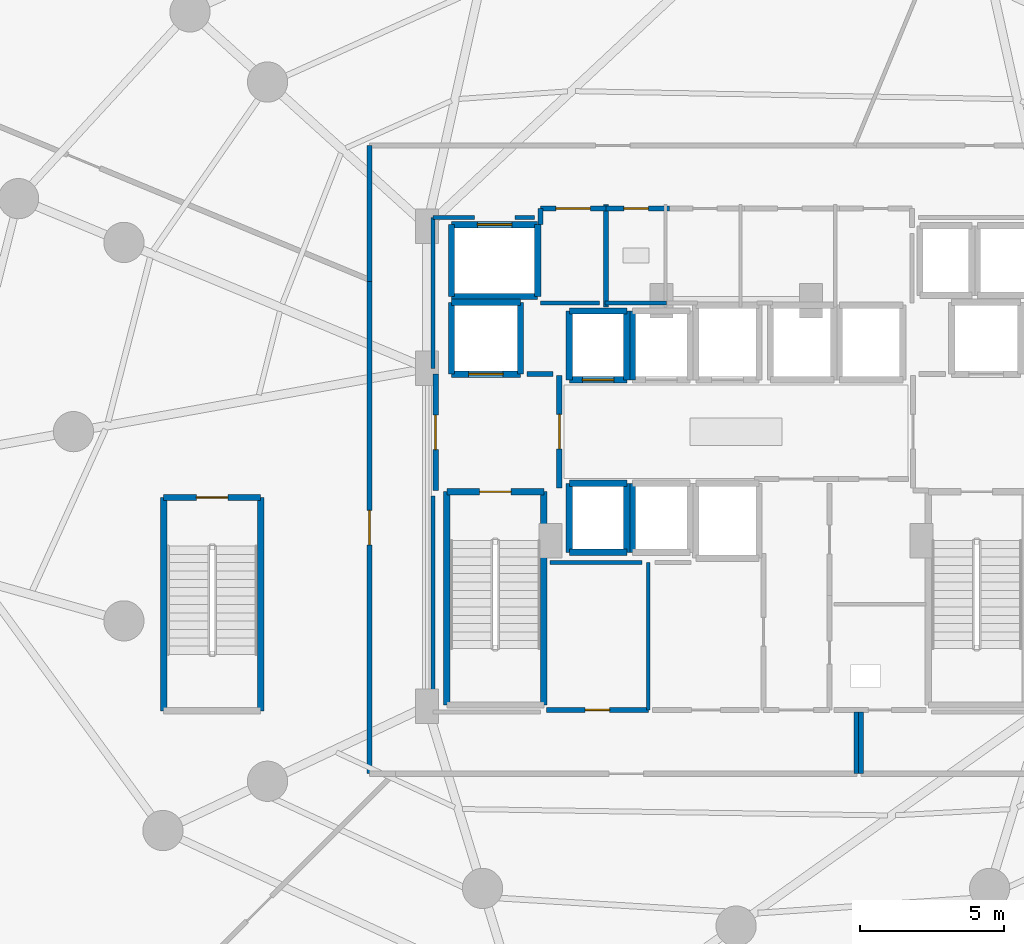
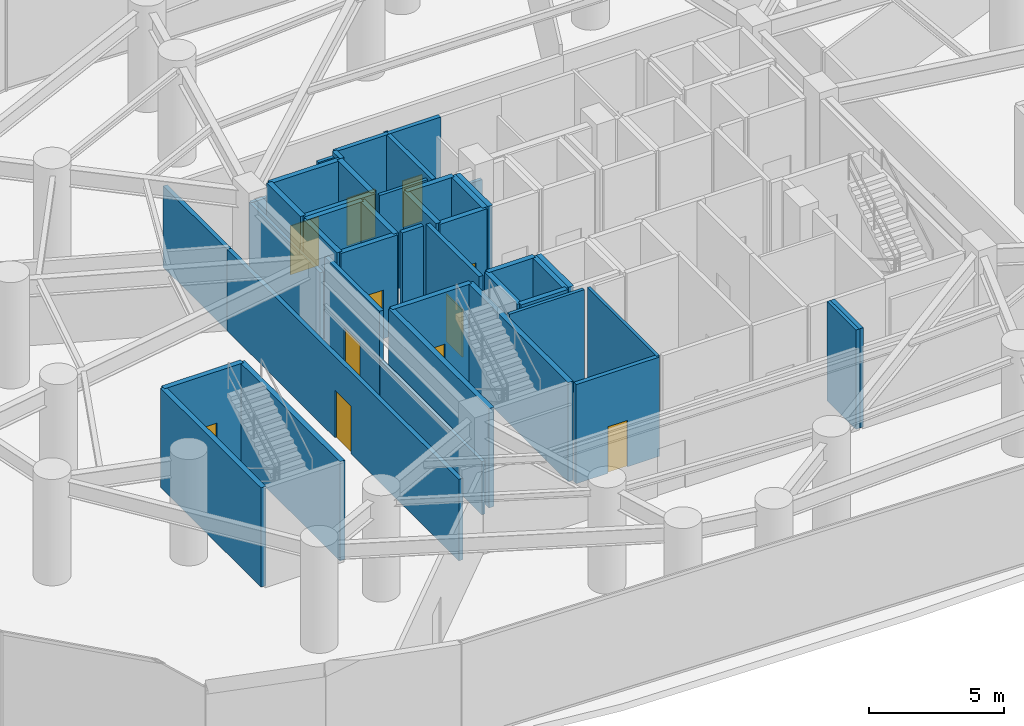
# One storey, part 21 of 26: 44 walls, 11 doors, 11 openings.
"""IFC4 building model written with IfcOpenShell, lengths in metres."""

from ifc_helpers import new_model, si_unit, direction, frame, frame_2d, origin, place, context, subcontext, project, spatial, rectangle, extrude, material, layer, layer_set, type_object, element, fill, save


model = new_model("IFC4")

# Units and contexts
model_context = context("Model", 3, precision=1e-05, world=origin(), true_north=direction((0.0, 1.0)))
body_context = subcontext(model_context, "Body", "Model", "MODEL_VIEW")
ifc_project = project(units=[si_unit("LENGTHUNIT", "METRE"), si_unit("AREAUNIT", "SQUARE_METRE"), si_unit("VOLUMEUNIT", "CUBIC_METRE"), si_unit("PLANEANGLEUNIT", "RADIAN"), si_unit("MASSUNIT", "GRAM", prefix="KILO")], contexts=[model_context])

# Site, building, storey
site_placement = place(None, origin())
site = spatial("IfcSite", under=ifc_project, at=site_placement, CompositionType="ELEMENT")
building_placement = place(site_placement, origin())
building = spatial("IfcBuilding", under=site, at=building_placement, Name="Vorneva Point Tower", CompositionType="ELEMENT")
storey_placement = place(building_placement, frame((0.0, 0.0, 14.39990234375)))
storey = spatial("IfcBuildingStorey", under=building, at=storey_placement, Name="L03", CompositionType="ELEMENT", Elevation=14.39990234375)

# Wall, opening, door
ifc_material_1 = material(Name="Concrete B60 (C50/60)", Category="concrete")
ifc_layer_1 = layer(ifc_material_1, 0.5)
ifc_layer_set_1 = layer_set([ifc_layer_1], Name="Concrete B60 (C50/60)")
wall_type_1 = type_object("IfcWallType", Name="WL-CORE-500", PredefinedType="SHEAR", material=ifc_layer_set_1)
wall_1_placement = place(storey_placement, frame((28.10009765625, 28.0, 0.0), z_axis=(0.0, 0.0, 1.0), x_axis=(1.0, 0.0, 0.0)))
wall_1 = element("IfcWall", 1, at=wall_1_placement, inside=storey, type_object=wall_type_1, Name="L03 Lift FFL1 Shaft Wall -Y", PredefinedType="SHEAR", context=body_context, shape_type="SweptSolid", body=[
    extrude(rectangle(XDim=2.39990234375, YDim=0.219970703125, at=frame_2d((1.199951171875, 0.0))), origin(), (0.0, 0.0, 1.0), 4.47998046875),
])
opening_1_placement = place(wall_1_placement, frame((0.60009765625, 0.0, 0.0)))
opening_1 = element("IfcOpeningElement", 2, at=opening_1_placement, cuts=wall_1, Name="Opening LD-02", PredefinedType="OPENING", context=body_context, shape_type="SweptSolid", body=[
    extrude(rectangle(XDim=1.199951171875, YDim=2.199951171875, at=frame_2d((0.60009765625, 1.10009765625))), frame((0.0, 0.125, 0.0), z_axis=(0.0, -1.0, 0.0), x_axis=(1.0, 0.0, 0.0)), (0.0, 0.0, 1.0), 0.249755859375),
])
ifc_material_2 = material(Name="Brushed stainless steel S304", Category="steel")
door_type_1 = type_object("IfcDoorType", Name="LD-FIRE-1200", OperationType="SLIDING_TO_LEFT", PredefinedType="DOOR", material=ifc_material_2)
door_1_placement = place(opening_1_placement, origin())
door_1 = element("IfcDoor", 3, at=door_1_placement, inside=storey, type_object=door_type_1, Name="L03 Lift FFL1 Sliding Landing Door", OperationType="SLIDING_TO_LEFT", OverallHeight=2.199951171875, OverallWidth=1.199951171875, PredefinedType="DOOR", context=body_context, shape_type="SweptSolid", body=[
    extrude(rectangle(XDim=1.199951171875, YDim=2.199951171875, at=frame_2d((0.60009765625, 1.10009765625))), frame((0.0, 0.02490234375, 0.0), z_axis=(0.0, -1.0, 0.0), x_axis=(1.0, 0.0, 0.0)), (0.0, 0.0, 1.0), 0.050048828125),
])
fill(opening_1, door_1)

# Walls
wall_2_placement = place(storey_placement, frame((30.5, 28.0, 0.0), z_axis=(0.0, 0.0, 1.0), x_axis=(0.0, 1.0, 0.0)))
element("IfcWall", 4, at=wall_2_placement, inside=storey, type_object=wall_type_1, Name="L03 Lift FFL1 Shaft Wall +X", PredefinedType="SHEAR", context=body_context, shape_type="SweptSolid", body=[
    extrude(rectangle(XDim=2.5, YDim=0.219970703125, at=frame_2d((1.25, 0.0))), origin(), (0.0, 0.0, 1.0), 4.47998046875),
])
wall_3_placement = place(storey_placement, frame((30.5, 30.5, 0.0), z_axis=(0.0, 0.0, 1.0), x_axis=(-1.0, 0.0, 0.0)))
element("IfcWall", 5, at=wall_3_placement, inside=storey, type_object=wall_type_1, Name="L03 Lift FFL1 Shaft Wall +Y", PredefinedType="SHEAR", context=body_context, shape_type="SweptSolid", body=[
    extrude(rectangle(XDim=2.39990234375, YDim=0.219970703125, at=frame_2d((1.199951171875, 0.0))), origin(), (0.0, 0.0, 1.0), 4.47998046875),
])
wall_4_placement = place(storey_placement, frame((28.10009765625, 30.5, 0.0), z_axis=(0.0, 0.0, 1.0), x_axis=(0.0, -1.0, 0.0)))
element("IfcWall", 6, at=wall_4_placement, inside=storey, type_object=wall_type_1, Name="L03 Lift FFL1 Shaft Wall -X", PredefinedType="SHEAR", context=body_context, shape_type="SweptSolid", body=[
    extrude(rectangle(XDim=2.5, YDim=0.219970703125, at=frame_2d((1.25, 0.0))), origin(), (0.0, 0.0, 1.0), 4.47998046875),
])
ifc_material_3 = material(Name="Fire-rated acoustic gypsum stud partition", Category="gypsum")
ifc_layer_2 = layer(ifc_material_3, 0.125)
ifc_layer_set_2 = layer_set([ifc_layer_2], Name="Fire-rated acoustic gypsum stud partition")
wall_type_2 = type_object("IfcWallType", Name="WL-PART-125", PredefinedType="PARTITIONING", material=ifc_layer_set_2)
wall_5_placement = place(storey_placement, frame((34.949951171875, 16.320068359375, 0.0), z_axis=(0.0, 0.0, 1.0), x_axis=(0.0, 1.0, 0.0)))
element("IfcWall", 7, at=wall_5_placement, inside=storey, type_object=wall_type_2, Name="L03 Interior Partition 025", PredefinedType="PARTITIONING", context=body_context, shape_type="SweptSolid", body=[
    extrude(rectangle(XDim=5.1298828125, YDim=0.125, at=frame_2d((2.56494140625, 0.0))), origin(), (0.0, 0.0, 1.0), 4.47998046875),
])
ifc_layer_3 = layer(ifc_material_3, 0.139892578125)
ifc_layer_set_3 = layer_set([ifc_layer_3], Name="Fire-rated acoustic gypsum stud partition")
wall_type_3 = type_object("IfcWallType", Name="WL-PART-140", PredefinedType="PARTITIONING", material=ifc_layer_set_3)
wall_6_placement = place(storey_placement, frame((31.199951171875, 30.47998046875, 0.0), z_axis=(0.0, 0.0, 1.0), x_axis=(1.0, 0.0, 0.0)))
element("IfcWall", 8, at=wall_6_placement, inside=storey, type_object=wall_type_3, Name="L03 Interior Closure Partition 047", PredefinedType="PARTITIONING", context=body_context, shape_type="SweptSolid", body=[
    extrude(rectangle(XDim=2.050048828125, YDim=0.139892578125, at=frame_2d((1.02490234375, 0.0))), origin(), (0.0, 0.0, 1.0), 4.47998046875),
])
wall_7_placement = place(storey_placement, frame((33.43994140625, 30.47998046875, 0.0), z_axis=(0.0, 0.0, 1.0), x_axis=(1.0, 0.0, 0.0)))
element("IfcWall", 9, at=wall_7_placement, inside=storey, type_object=wall_type_3, Name="L03 Interior Closure Partition 048", PredefinedType="PARTITIONING", context=body_context, shape_type="SweptSolid", body=[
    extrude(rectangle(XDim=2.14013671875, YDim=0.139892578125, at=frame_2d((1.070068359375, 0.0))), origin(), (0.0, 0.0, 1.0), 3.672119140625),
])
wall_8_placement = place(storey_placement, frame((34.72998046875, 21.449951171875, 0.0), z_axis=(0.0, 0.0, 1.0), x_axis=(-1.0, 0.0, 0.0)))
element("IfcWall", 10, at=wall_8_placement, inside=storey, type_object=wall_type_3, Name="L03 Interior Closure Partition 052", PredefinedType="PARTITIONING", context=body_context, shape_type="SweptSolid", body=[
    extrude(rectangle(XDim=3.199951171875, YDim=0.139892578125, at=frame_2d((1.60009765625, 0.0))), origin(), (0.0, 0.0, 1.0), 4.47998046875),
])
wall_9_placement = place(storey_placement, frame((27.449951171875, 16.239990234375, 0.0), z_axis=(0.0, 0.0, 1.0), x_axis=(0.0, 1.0, 0.0)))
element("IfcWall", 11, at=wall_9_placement, inside=storey, type_object=wall_type_3, Name="L03 Interior Closure Partition 059", PredefinedType="PARTITIONING", context=body_context, shape_type="SweptSolid", body=[
    extrude(rectangle(XDim=7.513916015625, YDim=0.139892578125, at=frame_2d((3.7568359375, 0.0))), origin(), (0.0, 0.0, 1.0), 2.406005859375),
])
wall_10_placement = place(storey_placement, frame((27.449951171875, 28.196044921875, 0.0), z_axis=(0.0, 0.0, 1.0), x_axis=(0.0, 1.0, 0.0)))
element("IfcWall", 12, at=wall_10_placement, inside=storey, type_object=wall_type_3, Name="L03 Interior Closure Partition 060", PredefinedType="PARTITIONING", context=body_context, shape_type="SweptSolid", body=[
    extrude(rectangle(XDim=5.25390625, YDim=0.139892578125, at=frame_2d((2.626953125, 0.0))), origin(), (0.0, 0.0, 1.0), 3.672119140625),
])
wall_11_placement = place(storey_placement, frame((27.449951171875, 33.449951171875, 0.0), z_axis=(0.0, 0.0, 1.0), x_axis=(1.0, 0.0, 0.0)))
element("IfcWall", 13, at=wall_11_placement, inside=storey, type_object=wall_type_3, Name="L03 Interior Closure Partition 061", PredefinedType="PARTITIONING", context=body_context, shape_type="SweptSolid", body=[
    extrude(rectangle(XDim=1.444091796875, YDim=0.139892578125, at=frame_2d((0.72216796875, 0.0))), origin(), (0.0, 0.0, 1.0), 3.672119140625),
])
wall_12_placement = place(storey_placement, frame((30.305908203125, 33.449951171875, 0.0), z_axis=(0.0, 0.0, 1.0), x_axis=(1.0, 0.0, 0.0)))
element("IfcWall", 14, at=wall_12_placement, inside=storey, type_object=wall_type_3, Name="L03 Interior Closure Partition 062", PredefinedType="PARTITIONING", context=body_context, shape_type="SweptSolid", body=[
    extrude(rectangle(XDim=0.674072265625, YDim=0.139892578125, at=frame_2d((0.3369140625, 0.0))), origin(), (0.0, 0.0, 1.0), 4.47998046875),
])

# Wall, opening, door
ifc_material_4 = material(Name="Autoclaved aerated concrete blockwork", Category="masonry")
ifc_layer_4 = layer(ifc_material_4, 0.179931640625)
ifc_layer_set_4 = layer_set([ifc_layer_4], Name="Autoclaved aerated concrete blockwork")
wall_type_4 = type_object("IfcWallType", Name="WL-PART-180", PredefinedType="PARTITIONING", material=ifc_layer_set_4)
wall_13_placement = place(storey_placement, frame((31.85009765625, 24.044921875, 0.0), z_axis=(0.0, 0.0, 1.0), x_axis=(0.0, 1.0, 0.0)))
wall_13 = element("IfcWall", 15, at=wall_13_placement, inside=storey, type_object=wall_type_4, Name="L03 Interior Partition 001", PredefinedType="PARTITIONING", context=body_context, shape_type="SweptSolid", body=[
    extrude(rectangle(XDim=3.91015625, YDim=0.179931640625, at=frame_2d((1.955078125, 0.0))), origin(), (0.0, 0.0, 1.0), 4.47998046875),
])
opening_2_placement = place(wall_13_placement, frame((1.35498046875, 0.0, 0.0)))
opening_2 = element("IfcOpeningElement", 16, at=opening_2_placement, cuts=wall_13, Name="Opening FD-02", PredefinedType="OPENING", context=body_context, shape_type="SweptSolid", body=[
    extrude(rectangle(XDim=1.199951171875, YDim=2.14990234375, at=frame_2d((0.60009765625, 1.074951171875))), frame((0.0, 0.10498046875, 0.0), z_axis=(0.0, -1.0, 0.0), x_axis=(1.0, 0.0, 0.0)), (0.0, 0.0, 1.0), 0.209716796875),
])
ifc_material_5 = material(Name="Fire-rated powder-coated steel", Category="steel")
door_type_2 = type_object("IfcDoorType", Name="DR-FFL-1200", OperationType="NOTDEFINED", PredefinedType="DOOR", material=ifc_material_5)
door_2_placement = place(opening_2_placement, origin())
door_2 = element("IfcDoor", 17, at=door_2_placement, inside=storey, type_object=door_type_2, Name="L03 Door West Firefighting Lobby / Central Lift Lobby", OperationType="SINGLE_SWING_LEFT", OverallHeight=2.14990234375, OverallWidth=1.199951171875, PredefinedType="DOOR", context=body_context, shape_type="SweptSolid", body=[
    extrude(rectangle(XDim=1.199951171875, YDim=2.14990234375, at=frame_2d((0.60009765625, 1.074951171875))), frame((0.0, 0.02490234375, 0.0), z_axis=(0.0, -1.0, 0.0), x_axis=(1.0, 0.0, 0.0)), (0.0, 0.0, 1.0), 0.050048828125),
])
fill(opening_2, door_2)

wall_14_placement = place(storey_placement, frame((27.550048828125, 28.0, 0.0), z_axis=(0.0, 0.0, 1.0), x_axis=(0.0, -1.0, 0.0)))
wall_14 = element("IfcWall", 18, at=wall_14_placement, inside=storey, type_object=wall_type_4, Name="L03 Interior Partition 002", PredefinedType="PARTITIONING", context=body_context, shape_type="SweptSolid", body=[
    extrude(rectangle(XDim=4.050048828125, YDim=0.179931640625, at=frame_2d((2.02490234375, 0.0))), origin(), (0.0, 0.0, 1.0), 4.47998046875),
])
opening_3_placement = place(wall_14_placement, frame((1.425048828125, 0.0, 0.0)))
opening_3 = element("IfcOpeningElement", 19, at=opening_3_placement, cuts=wall_14, Name="Opening FD-02", PredefinedType="OPENING", context=body_context, shape_type="SweptSolid", body=[
    extrude(rectangle(XDim=1.199951171875, YDim=2.14990234375, at=frame_2d((0.60009765625, 1.074951171875))), frame((0.0, 0.10498046875, 0.0), z_axis=(0.0, -1.0, 0.0), x_axis=(1.0, 0.0, 0.0)), (0.0, 0.0, 1.0), 0.209716796875),
])
door_3_placement = place(opening_3_placement, origin())
door_3 = element("IfcDoor", 20, at=door_3_placement, inside=storey, type_object=door_type_2, Name="L03 Door West Firefighting Lobby / L03 Circulation Corridor", OperationType="SINGLE_SWING_RIGHT", OverallHeight=2.14990234375, OverallWidth=1.199951171875, PredefinedType="DOOR", context=body_context, shape_type="SweptSolid", body=[
    extrude(rectangle(XDim=1.199951171875, YDim=2.14990234375, at=frame_2d((0.60009765625, 1.074951171875))), frame((0.0, 0.02490234375, 0.0), z_axis=(0.0, -1.0, 0.0), x_axis=(1.0, 0.0, 0.0)), (0.0, 0.0, 1.0), 0.050048828125),
])
fill(opening_3, door_3)

# Wall
wall_15_placement = place(storey_placement, frame((33.469970703125, 30.340087890625, 0.0), z_axis=(0.0, 0.0, 1.0), x_axis=(0.0, 1.0, 0.0)))
element("IfcWall", 21, at=wall_15_placement, inside=storey, type_object=wall_type_4, Name="L03 Interior Partition 006", PredefinedType="PARTITIONING", context=body_context, shape_type="SweptSolid", body=[
    extrude(rectangle(XDim=3.559814453125, YDim=0.179931640625, at=frame_2d((1.77978515625, 0.0))), origin(), (0.0, 0.0, 1.0), 4.47998046875),
])

# Wall, opening, door
wall_16_placement = place(storey_placement, frame((33.469970703125, 33.760009765625, 0.0), z_axis=(0.0, 0.0, 1.0), x_axis=(-1.0, 0.0, 0.0)))
wall_16 = element("IfcWall", 22, at=wall_16_placement, inside=storey, type_object=wall_type_4, Name="L03 Interior Partition 007", PredefinedType="PARTITIONING", context=body_context, shape_type="SweptSolid", body=[
    extrude(rectangle(XDim=2.27001953125, YDim=0.179931640625, at=frame_2d((1.135009765625, 0.0))), origin(), (0.0, 0.0, 1.0), 4.47998046875),
])
opening_4_placement = place(wall_16_placement, frame((0.534912109375, 0.0, 0.0)))
opening_4 = element("IfcOpeningElement", 23, at=opening_4_placement, cuts=wall_16, Name="Opening FD-02", PredefinedType="OPENING", context=body_context, shape_type="SweptSolid", body=[
    extrude(rectangle(XDim=1.199951171875, YDim=2.14990234375, at=frame_2d((0.60009765625, 1.074951171875))), frame((0.0, 0.10498046875, 0.0), z_axis=(0.0, -1.0, 0.0), x_axis=(1.0, 0.0, 0.0)), (0.0, 0.0, 1.0), 0.209716796875),
])
door_4_placement = place(opening_4_placement, origin())
door_4 = element("IfcDoor", 24, at=door_4_placement, inside=storey, type_object=door_type_2, Name="L03 Door Service Lift Lobby / L03 Circulation Corridor", OperationType="SINGLE_SWING_LEFT", OverallHeight=2.14990234375, OverallWidth=1.199951171875, PredefinedType="DOOR", context=body_context, shape_type="SweptSolid", body=[
    extrude(rectangle(XDim=1.199951171875, YDim=2.14990234375, at=frame_2d((0.60009765625, 1.074951171875))), frame((0.0, 0.02490234375, 0.0), z_axis=(0.0, -1.0, 0.0), x_axis=(1.0, 0.0, 0.0)), (0.0, 0.0, 1.0), 0.050048828125),
])
fill(opening_4, door_4)

# Wall
wall_17_placement = place(storey_placement, frame((31.199951171875, 33.760009765625, 0.0), z_axis=(0.0, 0.0, 1.0), x_axis=(0.0, -1.0, 0.0)))
element("IfcWall", 25, at=wall_17_placement, inside=storey, type_object=wall_type_4, Name="L03 Interior Partition 008", PredefinedType="PARTITIONING", context=body_context, shape_type="SweptSolid", body=[
    extrude(rectangle(XDim=0.56005859375, YDim=0.179931640625, at=frame_2d((0.280029296875, 0.0))), origin(), (0.0, 0.0, 1.0), 4.47998046875),
])

# Wall, opening, door
wall_18_placement = place(storey_placement, frame((35.68994140625, 33.760009765625, 0.0), z_axis=(0.0, 0.0, 1.0), x_axis=(-1.0, 0.0, 0.0)))
wall_18 = element("IfcWall", 26, at=wall_18_placement, inside=storey, type_object=wall_type_4, Name="L03 Interior Partition 018", PredefinedType="PARTITIONING", context=body_context, shape_type="SweptSolid", body=[
    extrude(rectangle(XDim=2.329833984375, YDim=0.179931640625, at=frame_2d((1.1650390625, 0.0))), origin(), (0.0, 0.0, 1.0), 4.47998046875),
])
opening_5_placement = place(wall_18_placement, frame((0.739990234375, 0.0, 0.0)))
opening_5 = element("IfcOpeningElement", 27, at=opening_5_placement, cuts=wall_18, Name="Opening ID-02", PredefinedType="OPENING", context=body_context, shape_type="SweptSolid", body=[
    extrude(rectangle(XDim=0.85009765625, YDim=2.10009765625, at=frame_2d((0.425048828125, 1.050048828125))), frame((0.0, 0.10498046875, 0.0), z_axis=(0.0, -1.0, 0.0), x_axis=(1.0, 0.0, 0.0)), (0.0, 0.0, 1.0), 0.209716796875),
])
ifc_material_6 = material(Name="Engineered oak fire-rated door leaf", Category="wood")
door_type_3 = type_object("IfcDoorType", Name="DR-BATH-850", OperationType="NOTDEFINED", PredefinedType="DOOR", material=ifc_material_6)
door_5_placement = place(opening_5_placement, origin())
door_5 = element("IfcDoor", 28, at=door_5_placement, inside=storey, type_object=door_type_3, Name="L03 Door Accessible WC / L03 Circulation Corridor", OperationType="SINGLE_SWING_LEFT", OverallHeight=2.10009765625, OverallWidth=0.85009765625, PredefinedType="DOOR", context=body_context, shape_type="SweptSolid", body=[
    extrude(rectangle(XDim=0.85009765625, YDim=2.10009765625, at=frame_2d((0.425048828125, 1.050048828125))), frame((0.0, 0.02490234375, 0.0), z_axis=(0.0, -1.0, 0.0), x_axis=(1.0, 0.0, 0.0)), (0.0, 0.0, 1.0), 0.050048828125),
])
fill(opening_5, door_5)

wall_19_placement = place(storey_placement, frame((31.39990234375, 16.320068359375, 0.0), z_axis=(0.0, 0.0, 1.0), x_axis=(1.0, 0.0, 0.0)))
wall_19 = element("IfcWall", 29, at=wall_19_placement, inside=storey, type_object=wall_type_4, Name="L03 Interior Partition 026", PredefinedType="PARTITIONING", context=body_context, shape_type="SweptSolid", body=[
    extrude(rectangle(XDim=3.550048828125, YDim=0.179931640625, at=frame_2d((1.77490234375, 0.0))), origin(), (0.0, 0.0, 1.0), 4.47998046875),
])
opening_6_placement = place(wall_19_placement, frame((1.35009765625, 0.0, 0.0)))
opening_6 = element("IfcOpeningElement", 30, at=opening_6_placement, cuts=wall_19, Name="Opening ID-02", PredefinedType="OPENING", context=body_context, shape_type="SweptSolid", body=[
    extrude(rectangle(XDim=0.85009765625, YDim=2.10009765625, at=frame_2d((0.425048828125, 1.050048828125))), frame((0.0, 0.10498046875, 0.0), z_axis=(0.0, -1.0, 0.0), x_axis=(1.0, 0.0, 0.0)), (0.0, 0.0, 1.0), 0.209716796875),
])
door_6_placement = place(opening_6_placement, origin())
door_6 = element("IfcDoor", 31, at=door_6_placement, inside=storey, type_object=door_type_3, Name="L03 Door Luggage Store / L03 Circulation Corridor", OperationType="SINGLE_SWING_LEFT", OverallHeight=2.10009765625, OverallWidth=0.85009765625, PredefinedType="DOOR", context=body_context, shape_type="SweptSolid", body=[
    extrude(rectangle(XDim=0.85009765625, YDim=2.10009765625, at=frame_2d((0.425048828125, 1.050048828125))), frame((0.0, 0.02490234375, 0.0), z_axis=(0.0, -1.0, 0.0), x_axis=(1.0, 0.0, 0.0)), (0.0, 0.0, 1.0), 0.050048828125),
])
fill(opening_6, door_6)

# Wall
wall_20_placement = place(storey_placement, frame((25.25, 35.949951171875, 0.0), z_axis=(0.0, 0.0, 1.0), x_axis=(0.0, -1.0, 0.0)))
element("IfcWall", 32, at=wall_20_placement, inside=storey, type_object=wall_type_4, Name="L03 Interior Partition 029", PredefinedType="PARTITIONING", context=body_context, shape_type="SweptSolid", body=[
    extrude(rectangle(XDim=4.72900390625, YDim=0.179931640625, at=frame_2d((2.364501953125, 0.0))), origin(), (0.0, 0.0, 1.0), 3.672119140625),
])

# Wall, opening, door
wall_21_placement = place(storey_placement, frame((25.25, 31.220947265625, 0.0), z_axis=(0.0, 0.0, 1.0), x_axis=(0.0, -1.0, 0.0)))
wall_21 = element("IfcWall", 33, at=wall_21_placement, inside=storey, type_object=wall_type_4, Name="L03 Interior Partition 030", PredefinedType="PARTITIONING", context=body_context, shape_type="SweptSolid", body=[
    extrude(rectangle(XDim=17.120849609375, YDim=0.179931640625, at=frame_2d((8.560546875, 0.0))), origin(), (0.0, 0.0, 1.0), 3.672119140625),
])
opening_7_placement = place(wall_21_placement, frame((7.96044921875, 0.0, 0.0)))
opening_7 = element("IfcOpeningElement", 34, at=opening_7_placement, cuts=wall_21, Name="Opening FD-02", PredefinedType="OPENING", context=body_context, shape_type="SweptSolid", body=[
    extrude(rectangle(XDim=1.199951171875, YDim=2.14990234375, at=frame_2d((0.60009765625, 1.074951171875))), frame((0.0, 0.10498046875, 0.0), z_axis=(0.0, -1.0, 0.0), x_axis=(1.0, 0.0, 0.0)), (0.0, 0.0, 1.0), 0.209716796875),
])
door_7_placement = place(opening_7_placement, origin())
door_7 = element("IfcDoor", 35, at=door_7_placement, inside=storey, type_object=door_type_2, Name="L03 Door L03 Circulation Corridor / Pre-Function Foyer L03", OperationType="SINGLE_SWING_RIGHT", OverallHeight=2.14990234375, OverallWidth=1.199951171875, PredefinedType="DOOR", context=body_context, shape_type="SweptSolid", body=[
    extrude(rectangle(XDim=1.199951171875, YDim=2.14990234375, at=frame_2d((0.60009765625, 1.074951171875))), frame((0.0, 0.02490234375, 0.0), z_axis=(0.0, -1.0, 0.0), x_axis=(1.0, 0.0, 0.0)), (0.0, 0.0, 1.0), 0.050048828125),
])
fill(opening_7, door_7)

# Walls
for number, where, z_axis, x_axis, name in (
    (36, (42.340087890625, 16.239990234375, 0.0), (0.0, 0.0, 1.0), (0.0, -1.0, 0.0), "L03 Interior Partition 032"),
    (37, (42.199951171875, 14.10009765625, 0.0), (0.0, 0.0, 1.0), (0.0, 1.0, 0.0), "L03 Interior Partition 035"),
):
    element("IfcWall", number, at=place(storey_placement, frame(where, z_axis=z_axis, x_axis=x_axis)), inside=storey, type_object=wall_type_4, Name=name, PredefinedType="PARTITIONING", context=body_context, shape_type="SweptSolid", body=[
        extrude(rectangle(XDim=2.139892578125, YDim=0.179931640625, at=frame_2d((1.06982421875, 0.0))), origin(), (0.0, 0.0, 1.0), 4.47998046875),
    ])
wall_22_placement = place(storey_placement, frame((31.635009765625, 28.0, 0.0), z_axis=(0.0, 0.0, 1.0), x_axis=(-1.0, 0.0, 0.0)))
element("IfcWall", 38, at=wall_22_placement, inside=storey, type_object=wall_type_4, Name="L03 Interior Closure Partition 045", PredefinedType="PARTITIONING", context=body_context, shape_type="SweptSolid", body=[
    extrude(rectangle(XDim=0.9150390625, YDim=0.179931640625, at=frame_2d((0.45751953125, 0.0))), origin(), (0.0, 0.0, 1.0), 4.47998046875),
])

# Wall, opening, door
ifc_material_7 = material(Name="Concrete B50 (C40/50)", Category="concrete")
ifc_layer_5 = layer(ifc_material_7, 0.219970703125)
ifc_layer_set_5 = layer_set([ifc_layer_5], Name="Concrete B50 (C40/50)")
wall_type_5 = type_object("IfcWallType", Name="WL-SHFT-220", PredefinedType="SOLIDWALL", material=ifc_layer_set_5)
wall_23_placement = place(storey_placement, frame((27.93994140625, 23.909912109375, 0.0), z_axis=(0.0, 0.0, 1.0), x_axis=(1.0, 0.0, 0.0)))
wall_23 = element("IfcWall", 39, at=wall_23_placement, inside=storey, type_object=wall_type_5, Name="L03 Exit Stair ST1 Shaft Wall near", PredefinedType="SOLIDWALL", context=body_context, shape_type="SweptSolid", body=[
    extrude(rectangle(XDim=3.3701171875, YDim=0.219970703125, at=frame_2d((1.68505859375, 0.0))), origin(), (0.0, 0.0, 1.0), 4.47998046875),
])
opening_8_placement = place(wall_23_placement, frame((1.135009765625, 0.0, 0.0)))
opening_8 = element("IfcOpeningElement", 40, at=opening_8_placement, cuts=wall_23, Name="Opening FD-01", PredefinedType="OPENING", context=body_context, shape_type="SweptSolid", body=[
    extrude(rectangle(XDim=1.10009765625, YDim=2.14990234375, at=frame_2d((0.550048828125, 1.074951171875))), frame((0.0, 0.125, 0.0), z_axis=(0.0, -1.0, 0.0), x_axis=(1.0, 0.0, 0.0)), (0.0, 0.0, 1.0), 0.249755859375),
])
door_type_4 = type_object("IfcDoorType", Name="DR-STAIR-1100", OperationType="NOTDEFINED", PredefinedType="DOOR", material=ifc_material_5)
door_8_placement = place(opening_8_placement, origin())
door_8 = element("IfcDoor", 41, at=door_8_placement, inside=storey, type_object=door_type_4, Name="L03 Exit Stair ST1 Fire Door", OperationType="SINGLE_SWING_LEFT", OverallHeight=2.14990234375, OverallWidth=1.10009765625, PredefinedType="DOOR", context=body_context, shape_type="SweptSolid", body=[
    extrude(rectangle(XDim=1.10009765625, YDim=2.14990234375, at=frame_2d((0.550048828125, 1.074951171875))), frame((0.0, 0.02490234375, 0.0), z_axis=(0.0, -1.0, 0.0), x_axis=(1.0, 0.0, 0.0)), (0.0, 0.0, 1.0), 0.050048828125),
])
fill(opening_8, door_8)

# Walls
for number, where, z_axis, x_axis, name in (
    (42, (31.31005859375, 23.909912109375, 0.0), (0.0, 0.0, 1.0), (0.0, -1.0, 0.0), "L03 Exit Stair ST1 Shaft Wall right"),
    (43, (27.93994140625, 16.489990234375, 0.0), (0.0, 0.0, 1.0), (0.0, 1.0, 0.0), "L03 Exit Stair ST1 Shaft Wall left"),
):
    element("IfcWall", number, at=place(storey_placement, frame(where, z_axis=z_axis, x_axis=x_axis)), inside=storey, type_object=wall_type_5, Name=name, PredefinedType="SOLIDWALL", context=body_context, shape_type="SweptSolid", body=[
        extrude(rectangle(XDim=7.419921875, YDim=0.219970703125, at=frame_2d((3.7099609375, 0.0))), origin(), (0.0, 0.0, 1.0), 4.47998046875),
    ])

# Wall, opening, door
wall_24_placement = place(storey_placement, frame((18.090087890625, 23.7099609375, 0.0), z_axis=(0.0, 0.0, 1.0), x_axis=(1.0, 0.0, 0.0)))
wall_24 = element("IfcWall", 44, at=wall_24_placement, inside=storey, type_object=wall_type_5, Name="L03 Exit Stair ST3 Shaft Wall near", PredefinedType="SOLIDWALL", context=body_context, shape_type="SweptSolid", body=[
    extrude(rectangle(XDim=3.369873046875, YDim=0.219970703125, at=frame_2d((1.68505859375, 0.0))), origin(), (0.0, 0.0, 1.0), 4.47998046875),
])
opening_9_placement = place(wall_24_placement, frame((1.135009765625, 0.0, 0.0)))
opening_9 = element("IfcOpeningElement", 45, at=opening_9_placement, cuts=wall_24, Name="Opening FD-01", PredefinedType="OPENING", context=body_context, shape_type="SweptSolid", body=[
    extrude(rectangle(XDim=1.10009765625, YDim=2.14990234375, at=frame_2d((0.550048828125, 1.074951171875))), frame((0.0, 0.125, 0.0), z_axis=(0.0, -1.0, 0.0), x_axis=(1.0, 0.0, 0.0)), (0.0, 0.0, 1.0), 0.249755859375),
])
door_9_placement = place(opening_9_placement, origin())
door_9 = element("IfcDoor", 46, at=door_9_placement, inside=storey, type_object=door_type_4, Name="L03 Exit Stair ST3 Fire Door", OperationType="SINGLE_SWING_LEFT", OverallHeight=2.14990234375, OverallWidth=1.10009765625, PredefinedType="DOOR", context=body_context, shape_type="SweptSolid", body=[
    extrude(rectangle(XDim=1.10009765625, YDim=2.14990234375, at=frame_2d((0.550048828125, 1.074951171875))), frame((0.0, 0.02490234375, 0.0), z_axis=(0.0, -1.0, 0.0), x_axis=(1.0, 0.0, 0.0)), (0.0, 0.0, 1.0), 0.050048828125),
])
fill(opening_9, door_9)

# Walls
for number, where, z_axis, x_axis, name in (
    (47, (21.4599609375, 23.7099609375, 0.0), (0.0, 0.0, 1.0), (0.0, -1.0, 0.0), "L03 Exit Stair ST3 Shaft Wall right"),
    (48, (18.090087890625, 16.2900390625, 0.0), (0.0, 0.0, 1.0), (0.0, 1.0, 0.0), "L03 Exit Stair ST3 Shaft Wall left"),
):
    element("IfcWall", number, at=place(storey_placement, frame(where, z_axis=z_axis, x_axis=x_axis)), inside=storey, type_object=wall_type_5, Name=name, PredefinedType="SOLIDWALL", context=body_context, shape_type="SweptSolid", body=[
        extrude(rectangle(XDim=7.419921875, YDim=0.219970703125, at=frame_2d((3.7099609375, 0.0))), origin(), (0.0, 0.0, 1.0), 4.47998046875),
    ])

# Wall, opening, door
wall_25_placement = place(storey_placement, frame((32.199951171875, 27.800048828125, 0.0), z_axis=(0.0, 0.0, 1.0), x_axis=(1.0, 0.0, 0.0)))
wall_25 = element("IfcWall", 49, at=wall_25_placement, inside=storey, type_object=wall_type_5, Name="L03 Lift PL1 Shaft Wall -Y", PredefinedType="SOLIDWALL", context=body_context, shape_type="SweptSolid", body=[
    extrude(rectangle(XDim=2.0, YDim=0.219970703125, at=frame_2d((1.0, 0.0))), origin(), (0.0, 0.0, 1.0), 4.47998046875),
])
opening_10_placement = place(wall_25_placement, frame((0.449951171875, 0.0, 0.0)))
opening_10 = element("IfcOpeningElement", 50, at=opening_10_placement, cuts=wall_25, Name="Opening LD-01", PredefinedType="OPENING", context=body_context, shape_type="SweptSolid", body=[
    extrude(rectangle(XDim=1.10009765625, YDim=2.199951171875, at=frame_2d((0.550048828125, 1.10009765625))), frame((0.0, 0.125, 0.0), z_axis=(0.0, -1.0, 0.0), x_axis=(1.0, 0.0, 0.0)), (0.0, 0.0, 1.0), 0.249755859375),
])
door_type_5 = type_object("IfcDoorType", Name="LD-PASS-1100", OperationType="SLIDING_TO_LEFT", PredefinedType="DOOR", material=ifc_material_2)
door_10_placement = place(opening_10_placement, origin())
door_10 = element("IfcDoor", 51, at=door_10_placement, inside=storey, type_object=door_type_5, Name="L03 Lift PL1 Sliding Landing Door", OperationType="SLIDING_TO_LEFT", OverallHeight=2.199951171875, OverallWidth=1.10009765625, PredefinedType="DOOR", context=body_context, shape_type="SweptSolid", body=[
    extrude(rectangle(XDim=1.10009765625, YDim=2.199951171875, at=frame_2d((0.550048828125, 1.10009765625))), frame((0.0, 0.02490234375, 0.0), z_axis=(0.0, -1.0, 0.0), x_axis=(1.0, 0.0, 0.0)), (0.0, 0.0, 1.0), 0.050048828125),
])
fill(opening_10, door_10)

# Walls
wall_26_placement = place(storey_placement, frame((34.199951171875, 27.800048828125, 0.0), z_axis=(0.0, 0.0, 1.0), x_axis=(0.0, 1.0, 0.0)))
element("IfcWall", 52, at=wall_26_placement, inside=storey, type_object=wall_type_5, Name="L03 Lift PL1 Shaft Wall +X", PredefinedType="SOLIDWALL", context=body_context, shape_type="SweptSolid", body=[
    extrude(rectangle(XDim=2.39990234375, YDim=0.219970703125, at=frame_2d((1.199951171875, 0.0))), origin(), (0.0, 0.0, 1.0), 4.47998046875),
])
wall_27_placement = place(storey_placement, frame((34.199951171875, 30.199951171875, 0.0), z_axis=(0.0, 0.0, 1.0), x_axis=(-1.0, 0.0, 0.0)))
element("IfcWall", 53, at=wall_27_placement, inside=storey, type_object=wall_type_5, Name="L03 Lift PL1 Shaft Wall +Y", PredefinedType="SOLIDWALL", context=body_context, shape_type="SweptSolid", body=[
    extrude(rectangle(XDim=2.0, YDim=0.219970703125, at=frame_2d((1.0, 0.0))), origin(), (0.0, 0.0, 1.0), 4.47998046875),
])
for number, where, z_axis, x_axis, name in (
    (54, (32.199951171875, 30.199951171875, 0.0), (0.0, 0.0, 1.0), (0.0, -1.0, 0.0), "L03 Lift PL1 Shaft Wall -X"),
    (55, (34.39990234375, 30.199951171875, 0.0), (0.0, 0.0, 1.0), (0.0, -1.0, 0.0), "L03 Lift PL2 Shaft Wall -X"),
):
    element("IfcWall", number, at=place(storey_placement, frame(where, z_axis=z_axis, x_axis=x_axis)), inside=storey, type_object=wall_type_5, Name=name, PredefinedType="SOLIDWALL", context=body_context, shape_type="SweptSolid", body=[
        extrude(rectangle(XDim=2.39990234375, YDim=0.219970703125, at=frame_2d((1.199951171875, 0.0))), origin(), (0.0, 0.0, 1.0), 4.47998046875),
    ])
wall_28_placement = place(storey_placement, frame((32.199951171875, 21.800048828125, 0.0), z_axis=(0.0, 0.0, 1.0), x_axis=(1.0, 0.0, 0.0)))
element("IfcWall", 56, at=wall_28_placement, inside=storey, type_object=wall_type_5, Name="L03 Lift PL4 Shaft Wall -Y", PredefinedType="SOLIDWALL", context=body_context, shape_type="SweptSolid", body=[
    extrude(rectangle(XDim=2.0, YDim=0.219970703125, at=frame_2d((1.0, 0.0))), origin(), (0.0, 0.0, 1.0), 4.47998046875),
])
wall_29_placement = place(storey_placement, frame((34.199951171875, 21.800048828125, 0.0), z_axis=(0.0, 0.0, 1.0), x_axis=(0.0, 1.0, 0.0)))
element("IfcWall", 57, at=wall_29_placement, inside=storey, type_object=wall_type_5, Name="L03 Lift PL4 Shaft Wall +X", PredefinedType="SOLIDWALL", context=body_context, shape_type="SweptSolid", body=[
    extrude(rectangle(XDim=2.39990234375, YDim=0.219970703125, at=frame_2d((1.199951171875, 0.0))), origin(), (0.0, 0.0, 1.0), 4.47998046875),
])
wall_30_placement = place(storey_placement, frame((34.199951171875, 24.199951171875, 0.0), z_axis=(0.0, 0.0, 1.0), x_axis=(-1.0, 0.0, 0.0)))
element("IfcWall", 58, at=wall_30_placement, inside=storey, type_object=wall_type_5, Name="L03 Lift PL4 Shaft Wall +Y", PredefinedType="SOLIDWALL", context=body_context, shape_type="SweptSolid", body=[
    extrude(rectangle(XDim=2.0, YDim=0.219970703125, at=frame_2d((1.0, 0.0))), origin(), (0.0, 0.0, 1.0), 4.47998046875),
])
for number, where, z_axis, x_axis, name in (
    (59, (32.199951171875, 24.199951171875, 0.0), (0.0, 0.0, 1.0), (0.0, -1.0, 0.0), "L03 Lift PL4 Shaft Wall -X"),
    (60, (34.39990234375, 24.199951171875, 0.0), (0.0, 0.0, 1.0), (0.0, -1.0, 0.0), "L03 Lift PL5 Shaft Wall -X"),
):
    element("IfcWall", number, at=place(storey_placement, frame(where, z_axis=z_axis, x_axis=x_axis)), inside=storey, type_object=wall_type_5, Name=name, PredefinedType="SOLIDWALL", context=body_context, shape_type="SweptSolid", body=[
        extrude(rectangle(XDim=2.39990234375, YDim=0.219970703125, at=frame_2d((1.199951171875, 0.0))), origin(), (0.0, 0.0, 1.0), 4.47998046875),
    ])
wall_31_placement = place(storey_placement, frame((28.10009765625, 30.699951171875, 0.0), z_axis=(0.0, 0.0, 1.0), x_axis=(1.0, 0.0, 0.0)))
element("IfcWall", 61, at=wall_31_placement, inside=storey, type_object=wall_type_5, Name="L03 Lift SVL1 Shaft Wall -Y", PredefinedType="SOLIDWALL", context=body_context, shape_type="SweptSolid", body=[
    extrude(rectangle(XDim=3.0, YDim=0.219970703125, at=frame_2d((1.5, 0.0))), origin(), (0.0, 0.0, 1.0), 4.47998046875),
])
wall_32_placement = place(storey_placement, frame((31.10009765625, 30.699951171875, 0.0), z_axis=(0.0, 0.0, 1.0), x_axis=(0.0, 1.0, 0.0)))
element("IfcWall", 62, at=wall_32_placement, inside=storey, type_object=wall_type_5, Name="L03 Lift SVL1 Shaft Wall +X", PredefinedType="SOLIDWALL", context=body_context, shape_type="SweptSolid", body=[
    extrude(rectangle(XDim=2.5, YDim=0.219970703125, at=frame_2d((1.25, 0.0))), origin(), (0.0, 0.0, 1.0), 4.47998046875),
])

# Wall, opening, door
wall_33_placement = place(storey_placement, frame((31.10009765625, 33.199951171875, 0.0), z_axis=(0.0, 0.0, 1.0), x_axis=(-1.0, 0.0, 0.0)))
wall_33 = element("IfcWall", 63, at=wall_33_placement, inside=storey, type_object=wall_type_5, Name="L03 Lift SVL1 Shaft Wall +Y", PredefinedType="SOLIDWALL", context=body_context, shape_type="SweptSolid", body=[
    extrude(rectangle(XDim=3.0, YDim=0.219970703125, at=frame_2d((1.5, 0.0))), origin(), (0.0, 0.0, 1.0), 4.47998046875),
])
opening_11_placement = place(wall_33_placement, frame((0.89990234375, 0.0, 0.0)))
opening_11 = element("IfcOpeningElement", 64, at=opening_11_placement, cuts=wall_33, Name="Opening LD-02", PredefinedType="OPENING", context=body_context, shape_type="SweptSolid", body=[
    extrude(rectangle(XDim=1.199951171875, YDim=2.199951171875, at=frame_2d((0.60009765625, 1.10009765625))), frame((0.0, 0.125, 0.0), z_axis=(0.0, -1.0, 0.0), x_axis=(1.0, 0.0, 0.0)), (0.0, 0.0, 1.0), 0.249755859375),
])
door_11_placement = place(opening_11_placement, origin())
door_11 = element("IfcDoor", 65, at=door_11_placement, inside=storey, type_object=door_type_1, Name="L03 Lift SVL1 Sliding Landing Door", OperationType="SLIDING_TO_LEFT", OverallHeight=2.199951171875, OverallWidth=1.199951171875, PredefinedType="DOOR", context=body_context, shape_type="SweptSolid", body=[
    extrude(rectangle(XDim=1.199951171875, YDim=2.199951171875, at=frame_2d((0.60009765625, 1.10009765625))), frame((0.0, 0.02490234375, 0.0), z_axis=(0.0, -1.0, 0.0), x_axis=(1.0, 0.0, 0.0)), (0.0, 0.0, 1.0), 0.050048828125),
])
fill(opening_11, door_11)

# Wall
wall_34_placement = place(storey_placement, frame((28.10009765625, 33.199951171875, 0.0), z_axis=(0.0, 0.0, 1.0), x_axis=(0.0, -1.0, 0.0)))
element("IfcWall", 66, at=wall_34_placement, inside=storey, type_object=wall_type_5, Name="L03 Lift SVL1 Shaft Wall -X", PredefinedType="SOLIDWALL", context=body_context, shape_type="SweptSolid", body=[
    extrude(rectangle(XDim=2.5, YDim=0.219970703125, at=frame_2d((1.25, 0.0))), origin(), (0.0, 0.0, 1.0), 4.47998046875),
])

save(model, "model.ifc")
